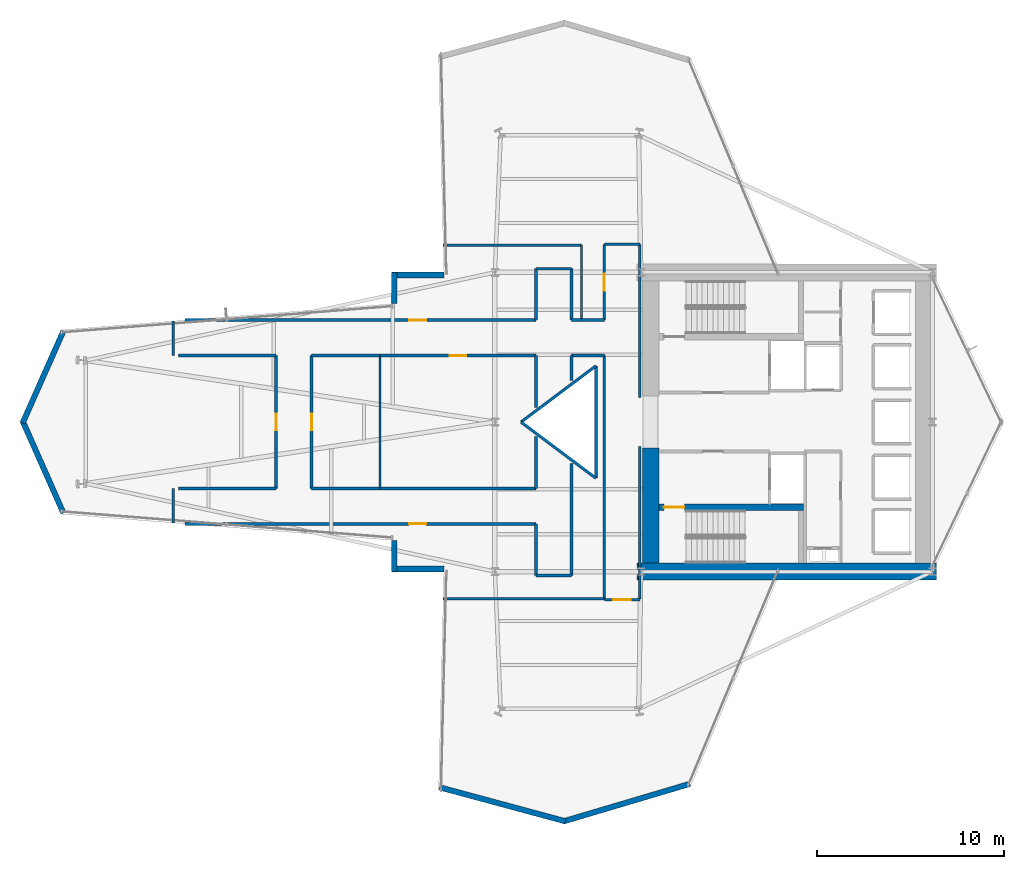
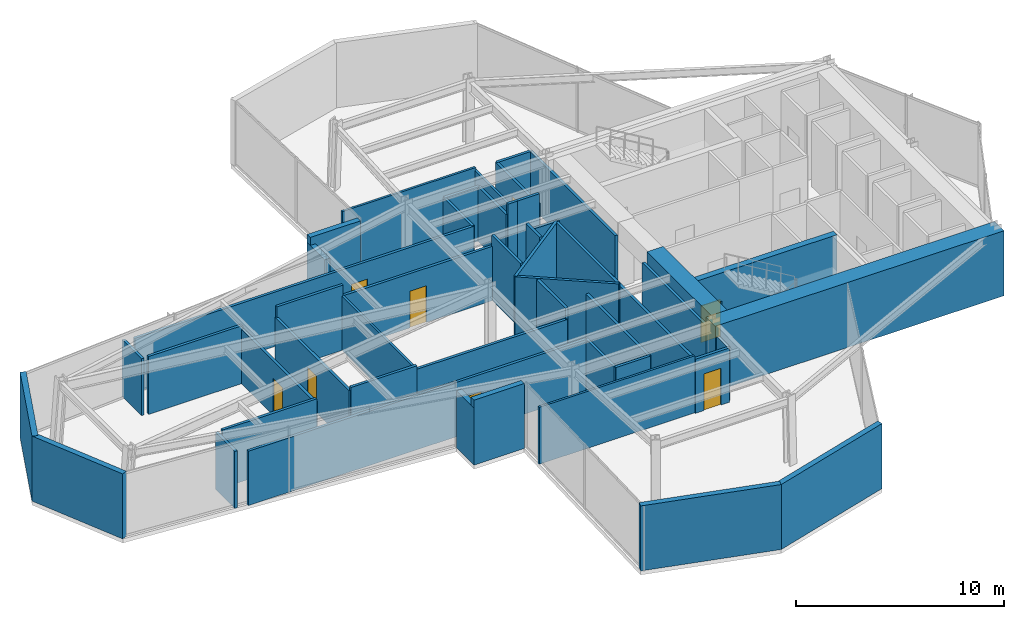
# One storey, part 22 of 25: 48 walls, 8 doors, 8 openings.
"""IFC4 building model written with IfcOpenShell, lengths in metres."""

from ifc_helpers import new_model, si_unit, direction, frame, frame_2d, origin, place, context, subcontext, project, spatial, rectangle, extrude, material, layer, layer_set, type_object, element, fill, save


model = new_model("IFC4")

# Units and contexts
model_context = context("Model", 3, precision=1e-05, world=origin(), true_north=direction((0.0, 1.0)))
body_context = subcontext(model_context, "Body", "Model", "MODEL_VIEW")
ifc_project = project(units=[si_unit("LENGTHUNIT", "METRE"), si_unit("AREAUNIT", "SQUARE_METRE"), si_unit("VOLUMEUNIT", "CUBIC_METRE"), si_unit("PLANEANGLEUNIT", "RADIAN"), si_unit("MASSUNIT", "GRAM", prefix="KILO")], contexts=[model_context])

# Site, building, storey
site_placement = place(None, origin())
site = spatial("IfcSite", under=ifc_project, at=site_placement, CompositionType="ELEMENT")
building_placement = place(site_placement, origin())
building = spatial("IfcBuilding", under=site, at=building_placement, Name="Veymaron Broadcast Tower", CompositionType="ELEMENT")
storey_placement = place(building_placement, frame((0.0, 0.0, 82.35009765625)))
storey = spatial("IfcBuildingStorey", under=building, at=storey_placement, Name="L18", CompositionType="ELEMENT", Elevation=82.35009765625)

# Walls
ifc_material_1 = material(Name="Precast concrete C40/50 with mineral-wool insulation", Category="concrete")
ifc_layer_1 = layer(ifc_material_1, 0.300048828125)
ifc_layer_set_1 = layer_set([ifc_layer_1], Name="Precast concrete C40/50 with mineral-wool insulation")
wall_type_1 = type_object("IfcWallType", Name="WALL-EXT-300", PredefinedType="STANDARD", material=ifc_layer_set_1)
wall_1_placement = place(storey_placement, frame((28.468505859375, 31.860107421875, 0.0), z_axis=(0.0, 0.0, 1.0), x_axis=(-1.0, 0.0, 0.0)))
element("IfcWall", 1, at=wall_1_placement, inside=storey, type_object=wall_type_1, Name="L18 notched corner facade pier 9-1", PredefinedType="STANDARD", context=body_context, shape_type="SweptSolid", body=[
    extrude(rectangle(XDim=2.780517578125, YDim=0.300048828125, at=frame_2d((1.39013671875, 0.0))), origin(), (0.0, 0.0, 1.0), 3.809814453125),
])
wall_2_placement = place(storey_placement, frame((25.827880859375, 32.0, 0.0), z_axis=(0.0, 0.0, 1.0), x_axis=(0.0, -1.0, 0.0)))
element("IfcWall", 2, at=wall_2_placement, inside=storey, type_object=wall_type_1, Name="L18 notched corner facade pier 10-1", PredefinedType="STANDARD", context=body_context, shape_type="SweptSolid", body=[
    extrude(rectangle(XDim=1.67529296875, YDim=0.300048828125, at=frame_2d((0.837646484375, 0.0))), origin(), (0.0, 0.0, 1.0), 3.337890625),
])
for number, where, z_axis, x_axis, name in (
    (3, (8.1279296875, 28.8701171875, 0.0), (0.0, 0.0, 1.0), (-0.405234544412, -0.914212756428, 0.0), "L18 notched corner facade pier 12-1"),
    (4, (5.944091796875, 24.056640625, 0.0), (0.0, 0.0, 1.0), (0.405234544412, -0.914212756428, 0.0), "L18 notched corner facade pier 13-1"),
):
    element("IfcWall", number, at=place(storey_placement, frame(where, z_axis=z_axis, x_axis=x_axis)), inside=storey, type_object=wall_type_1, Name=name, PredefinedType="STANDARD", context=body_context, shape_type="SweptSolid", body=[
        extrude(rectangle(XDim=5.38916015625, YDim=0.300048828125, at=frame_2d((2.694580078125, 0.0))), origin(), (0.0, 0.0, 1.0), 3.809814453125),
    ])
wall_3_placement = place(storey_placement, frame((25.827880859375, 17.67529296875, 0.0), z_axis=(0.0, 0.0, 1.0), x_axis=(0.0, -1.0, 0.0)))
element("IfcWall", 5, at=wall_3_placement, inside=storey, type_object=wall_type_1, Name="L18 notched corner facade pier 15-1", PredefinedType="STANDARD", context=body_context, shape_type="SweptSolid", body=[
    extrude(rectangle(XDim=1.67529296875, YDim=0.300048828125, at=frame_2d((0.837646484375, 0.0))), origin(), (0.0, 0.0, 1.0), 3.337890625),
])
wall_4_placement = place(storey_placement, frame((25.68798828125, 16.139892578125, 0.0), z_axis=(0.0, 0.0, 1.0), x_axis=(1.0, 0.0, 0.0)))
element("IfcWall", 6, at=wall_4_placement, inside=storey, type_object=wall_type_1, Name="L18 notched corner facade pier 16-1", PredefinedType="STANDARD", context=body_context, shape_type="SweptSolid", body=[
    extrude(rectangle(XDim=2.780517578125, YDim=0.300048828125, at=frame_2d((1.39013671875, 0.0))), origin(), (0.0, 0.0, 1.0), 3.809814453125),
])
wall_5_placement = place(storey_placement, frame((28.220458984375, 4.46923828125, 0.0), z_axis=(0.0, 0.0, 1.0), x_axis=(0.965438319853, -0.260631637679, 0.0)))
element("IfcWall", 7, at=wall_5_placement, inside=storey, type_object=wall_type_1, Name="L18 notched corner facade pier 18-1", PredefinedType="STANDARD", context=body_context, shape_type="SweptSolid", body=[
    extrude(rectangle(XDim=6.9833984375, YDim=0.300048828125, at=frame_2d((3.49169921875, 0.0))), origin(), (0.0, 0.0, 1.0), 3.809814453125),
])
wall_6_placement = place(storey_placement, frame((34.885986328125, 2.648193359375, 0.0), z_axis=(0.0, 0.0, 1.0), x_axis=(0.958632659024, 0.284646140064, 0.0)))
element("IfcWall", 8, at=wall_6_placement, inside=storey, type_object=wall_type_1, Name="L18 notched corner facade pier 19-1", PredefinedType="STANDARD", context=body_context, shape_type="SweptSolid", body=[
    extrude(rectangle(XDim=7.033203125, YDim=0.300048828125, at=frame_2d((3.5166015625, 0.0))), origin(), (0.0, 0.0, 1.0), 3.809814453125),
])

# Wall, opening, door
ifc_material_2 = material(Name="Gypsum fireboard and steel stud framing", Category="steel")
ifc_layer_2 = layer(ifc_material_2, 0.14990234375)
ifc_layer_set_2 = layer_set([ifc_layer_2], Name="Gypsum fireboard and steel stud framing")
wall_type_2 = type_object("IfcWallType", Name="WALL-FIRE-150", PredefinedType="PARTITIONING", material=ifc_layer_set_2)
wall_7_placement = place(storey_placement, frame((37.050048828125, 14.5, 0.0), z_axis=(0.0, 0.0, 1.0), x_axis=(1.0, 0.0, 0.0)))
wall_7 = element("IfcWall", 9, at=wall_7_placement, inside=storey, type_object=wall_type_2, Name="L18 partition IW-L18-P02", PredefinedType="PARTITIONING", context=body_context, shape_type="SweptSolid", body=[
    extrude(rectangle(XDim=1.89990234375, YDim=0.14990234375, at=frame_2d((0.949951171875, 0.0))), origin(), (0.0, 0.0, 1.0), 3.180908203125),
])
opening_1_placement = place(wall_7_placement, frame((0.47509765625, 0.0, 0.0)))
opening_1 = element("IfcOpeningElement", 10, at=opening_1_placement, cuts=wall_7, Name="Opening ID-RM1", PredefinedType="OPENING", context=body_context, shape_type="SweptSolid", body=[
    extrude(rectangle(XDim=0.949951171875, YDim=2.14990234375, at=frame_2d((0.47509765625, 1.074951171875))), frame((0.0, 0.0849609375, 0.0), z_axis=(0.0, -1.0, 0.0), x_axis=(1.0, 0.0, 0.0)), (0.0, 0.0, 1.0), 0.169921875),
])
ifc_material_3 = material(Name="Acoustic solid-core European oak veneer timber", Category="wood")
door_type_1 = type_object("IfcDoorType", Name="DOOR-INT-950", OperationType="NOTDEFINED", PredefinedType="DOOR", material=ifc_material_3)
door_1_placement = place(opening_1_placement, frame((0.949951171875, 0.0, 0.0), z_axis=(0.0, 0.0, 1.0), x_axis=(-1.0, 0.0, 0.0)))
door_1 = element("IfcDoor", 11, at=door_1_placement, inside=storey, type_object=door_type_1, Name="L18 door DR-L18-P02", OperationType="SINGLE_SWING_LEFT", OverallHeight=2.14990234375, OverallWidth=0.949951171875, PredefinedType="DOOR", context=body_context, shape_type="SweptSolid", body=[
    extrude(rectangle(XDim=0.949951171875, YDim=2.14990234375, at=frame_2d((0.47509765625, 1.074951171875))), frame((0.0, 0.02490234375, 0.0), z_axis=(0.0, -1.0, 0.0), x_axis=(1.0, 0.0, 0.0)), (0.0, 0.0, 1.0), 0.050048828125),
])
fill(opening_1, door_1)

wall_8_placement = place(storey_placement, frame((14.619873046875, 18.550048828125, 0.0), z_axis=(0.0, 0.0, 1.0), x_axis=(1.0, 0.0, 0.0)))
wall_8 = element("IfcWall", 12, at=wall_8_placement, inside=storey, type_object=wall_type_2, Name="L18 partition IW-L18-P03", PredefinedType="PARTITIONING", context=body_context, shape_type="SweptSolid", body=[
    extrude(rectangle(XDim=18.780029296875, YDim=0.14990234375, at=frame_2d((9.39013671875, 0.0))), origin(), (0.0, 0.0, 1.0), 3.180908203125),
])
opening_2_placement = place(wall_8_placement, frame((12.0, 0.0, 0.0)))
opening_2 = element("IfcOpeningElement", 13, at=opening_2_placement, cuts=wall_8, Name="Opening ID-RM2", PredefinedType="OPENING", context=body_context, shape_type="SweptSolid", body=[
    extrude(rectangle(XDim=0.89990234375, YDim=2.14990234375, at=frame_2d((0.449951171875, 1.074951171875))), frame((0.0, 0.0849609375, 0.0), z_axis=(0.0, -1.0, 0.0), x_axis=(1.0, 0.0, 0.0)), (0.0, 0.0, 1.0), 0.169921875),
])
door_type_2 = type_object("IfcDoorType", Name="DOOR-INT-900", OperationType="NOTDEFINED", PredefinedType="DOOR", material=ifc_material_3)
door_2_placement = place(opening_2_placement, frame((0.89990234375, 0.0, 0.0), z_axis=(0.0, 0.0, 1.0), x_axis=(-1.0, 0.0, 0.0)))
door_2 = element("IfcDoor", 14, at=door_2_placement, inside=storey, type_object=door_type_2, Name="L18 door DR-L18-P03", OperationType="SINGLE_SWING_RIGHT", OverallHeight=2.14990234375, OverallWidth=0.89990234375, PredefinedType="DOOR", context=body_context, shape_type="SweptSolid", body=[
    extrude(rectangle(XDim=0.89990234375, YDim=2.14990234375, at=frame_2d((0.449951171875, 1.074951171875))), frame((0.0, 0.02490234375, 0.0), z_axis=(0.0, -1.0, 0.0), x_axis=(1.0, 0.0, 0.0)), (0.0, 0.0, 1.0), 0.050048828125),
])
fill(opening_2, door_2)

wall_9_placement = place(storey_placement, frame((19.5, 20.449951171875, 0.0), z_axis=(0.0, 0.0, 1.0), x_axis=(0.0, 1.0, 0.0)))
wall_9 = element("IfcWall", 15, at=wall_9_placement, inside=storey, type_object=wall_type_2, Name="L18 partition IW-L18-P10", PredefinedType="PARTITIONING", context=body_context, shape_type="SweptSolid", body=[
    extrude(rectangle(XDim=7.10009765625, YDim=0.14990234375, at=frame_2d((3.550048828125, 0.0))), origin(), (0.0, 0.0, 1.0), 3.180908203125),
])
opening_3_placement = place(wall_9_placement, frame((3.10009765625, 0.0, 0.0)))
opening_3 = element("IfcOpeningElement", 16, at=opening_3_placement, cuts=wall_9, Name="Opening ID-RM2", PredefinedType="OPENING", context=body_context, shape_type="SweptSolid", body=[
    extrude(rectangle(XDim=0.89990234375, YDim=2.14990234375, at=frame_2d((0.449951171875, 1.074951171875))), frame((0.0, 0.0849609375, 0.0), z_axis=(0.0, -1.0, 0.0), x_axis=(1.0, 0.0, 0.0)), (0.0, 0.0, 1.0), 0.169921875),
])
door_3_placement = place(opening_3_placement, origin())
door_3 = element("IfcDoor", 17, at=door_3_placement, inside=storey, type_object=door_type_2, Name="L18 door DR-L18-P10", OperationType="SINGLE_SWING_LEFT", OverallHeight=2.14990234375, OverallWidth=0.89990234375, PredefinedType="DOOR", context=body_context, shape_type="SweptSolid", body=[
    extrude(rectangle(XDim=0.89990234375, YDim=2.14990234375, at=frame_2d((0.449951171875, 1.074951171875))), frame((0.0, 0.02490234375, 0.0), z_axis=(0.0, -1.0, 0.0), x_axis=(1.0, 0.0, 0.0)), (0.0, 0.0, 1.0), 0.050048828125),
])
fill(opening_3, door_3)

wall_10_placement = place(storey_placement, frame((21.39990234375, 20.449951171875, 0.0), z_axis=(0.0, 0.0, 1.0), x_axis=(0.0, 1.0, 0.0)))
wall_10 = element("IfcWall", 18, at=wall_10_placement, inside=storey, type_object=wall_type_2, Name="L18 partition IW-L18-P15", PredefinedType="PARTITIONING", context=body_context, shape_type="SweptSolid", body=[
    extrude(rectangle(XDim=7.10009765625, YDim=0.14990234375, at=frame_2d((3.550048828125, 0.0))), origin(), (0.0, 0.0, 1.0), 3.180908203125),
])
opening_4_placement = place(wall_10_placement, frame((3.10009765625, 0.0, 0.0)))
opening_4 = element("IfcOpeningElement", 19, at=opening_4_placement, cuts=wall_10, Name="Opening ID-RM2", PredefinedType="OPENING", context=body_context, shape_type="SweptSolid", body=[
    extrude(rectangle(XDim=0.89990234375, YDim=2.14990234375, at=frame_2d((0.449951171875, 1.074951171875))), frame((0.0, 0.0849609375, 0.0), z_axis=(0.0, -1.0, 0.0), x_axis=(1.0, 0.0, 0.0)), (0.0, 0.0, 1.0), 0.169921875),
])
door_4_placement = place(opening_4_placement, frame((0.89990234375, 0.0, 0.0), z_axis=(0.0, 0.0, 1.0), x_axis=(-1.0, 0.0, 0.0)))
door_4 = element("IfcDoor", 20, at=door_4_placement, inside=storey, type_object=door_type_2, Name="L18 door DR-L18-P15", OperationType="SINGLE_SWING_RIGHT", OverallHeight=2.14990234375, OverallWidth=0.89990234375, PredefinedType="DOOR", context=body_context, shape_type="SweptSolid", body=[
    extrude(rectangle(XDim=0.89990234375, YDim=2.14990234375, at=frame_2d((0.449951171875, 1.074951171875))), frame((0.0, 0.02490234375, 0.0), z_axis=(0.0, -1.0, 0.0), x_axis=(1.0, 0.0, 0.0)), (0.0, 0.0, 1.0), 0.050048828125),
])
fill(opening_4, door_4)

wall_11_placement = place(storey_placement, frame((25.056884765625, 27.550048828125, 0.0), z_axis=(0.0, 0.0, 1.0), x_axis=(1.0, 0.0, 0.0)))
wall_11 = element("IfcWall", 21, at=wall_11_placement, inside=storey, type_object=wall_type_2, Name="L18 partition IW-L18-P18", PredefinedType="PARTITIONING", context=body_context, shape_type="SweptSolid", body=[
    extrude(rectangle(XDim=8.343017578125, YDim=0.14990234375, at=frame_2d((4.17138671875, 0.0))), origin(), (0.0, 0.0, 1.0), 3.180908203125),
])
opening_5_placement = place(wall_11_placement, frame((3.721435546875, 0.0, 0.0)))
opening_5 = element("IfcOpeningElement", 22, at=opening_5_placement, cuts=wall_11, Name="Opening ID-RM2", PredefinedType="OPENING", context=body_context, shape_type="SweptSolid", body=[
    extrude(rectangle(XDim=0.89990234375, YDim=2.14990234375, at=frame_2d((0.449951171875, 1.074951171875))), frame((0.0, 0.0849609375, 0.0), z_axis=(0.0, -1.0, 0.0), x_axis=(1.0, 0.0, 0.0)), (0.0, 0.0, 1.0), 0.169921875),
])
door_5_placement = place(opening_5_placement, frame((0.89990234375, 0.0, 0.0), z_axis=(0.0, 0.0, 1.0), x_axis=(-1.0, 0.0, 0.0)))
door_5 = element("IfcDoor", 23, at=door_5_placement, inside=storey, type_object=door_type_2, Name="L18 door DR-L18-P18", OperationType="SINGLE_SWING_LEFT", OverallHeight=2.14990234375, OverallWidth=0.89990234375, PredefinedType="DOOR", context=body_context, shape_type="SweptSolid", body=[
    extrude(rectangle(XDim=0.89990234375, YDim=2.14990234375, at=frame_2d((0.449951171875, 1.074951171875))), frame((0.0, 0.02490234375, 0.0), z_axis=(0.0, -1.0, 0.0), x_axis=(1.0, 0.0, 0.0)), (0.0, 0.0, 1.0), 0.050048828125),
])
fill(opening_5, door_5)

wall_12_placement = place(storey_placement, frame((14.619873046875, 29.449951171875, 0.0), z_axis=(0.0, 0.0, 1.0), x_axis=(1.0, 0.0, 0.0)))
wall_12 = element("IfcWall", 24, at=wall_12_placement, inside=storey, type_object=wall_type_2, Name="L18 partition IW-L18-P22", PredefinedType="PARTITIONING", context=body_context, shape_type="SweptSolid", body=[
    extrude(rectangle(XDim=18.780029296875, YDim=0.14990234375, at=frame_2d((9.39013671875, 0.0))), origin(), (0.0, 0.0, 1.0), 3.180908203125),
])
opening_6_placement = place(wall_12_placement, frame((12.0, 0.0, 0.0)))
opening_6 = element("IfcOpeningElement", 25, at=opening_6_placement, cuts=wall_12, Name="Opening ID-RM2", PredefinedType="OPENING", context=body_context, shape_type="SweptSolid", body=[
    extrude(rectangle(XDim=0.89990234375, YDim=2.14990234375, at=frame_2d((0.449951171875, 1.074951171875))), frame((0.0, 0.0849609375, 0.0), z_axis=(0.0, -1.0, 0.0), x_axis=(1.0, 0.0, 0.0)), (0.0, 0.0, 1.0), 0.169921875),
])
door_6_placement = place(opening_6_placement, origin())
door_6 = element("IfcDoor", 26, at=door_6_placement, inside=storey, type_object=door_type_2, Name="L18 door DR-L18-P22", OperationType="SINGLE_SWING_LEFT", OverallHeight=2.14990234375, OverallWidth=0.89990234375, PredefinedType="DOOR", context=body_context, shape_type="SweptSolid", body=[
    extrude(rectangle(XDim=0.89990234375, YDim=2.14990234375, at=frame_2d((0.449951171875, 1.074951171875))), frame((0.0, 0.02490234375, 0.0), z_axis=(0.0, -1.0, 0.0), x_axis=(1.0, 0.0, 0.0)), (0.0, 0.0, 1.0), 0.050048828125),
])
fill(opening_6, door_6)

wall_13_placement = place(storey_placement, frame((37.050048828125, 29.449951171875, 0.0), z_axis=(0.0, 0.0, 1.0), x_axis=(0.0, 1.0, 0.0)))
wall_13 = element("IfcWall", 27, at=wall_13_placement, inside=storey, type_object=wall_type_2, Name="L18 partition IW-L18-P28", PredefinedType="PARTITIONING", context=body_context, shape_type="SweptSolid", body=[
    extrude(rectangle(XDim=4.050048828125, YDim=0.14990234375, at=frame_2d((2.02490234375, 0.0))), origin(), (0.0, 0.0, 1.0), 3.180908203125),
])
opening_7_placement = place(wall_13_placement, frame((1.574951171875, 0.0, 0.0)))
opening_7 = element("IfcOpeningElement", 28, at=opening_7_placement, cuts=wall_13, Name="Opening ID-RM2", PredefinedType="OPENING", context=body_context, shape_type="SweptSolid", body=[
    extrude(rectangle(XDim=0.89990234375, YDim=2.14990234375, at=frame_2d((0.449951171875, 1.074951171875))), frame((0.0, 0.0849609375, 0.0), z_axis=(0.0, -1.0, 0.0), x_axis=(1.0, 0.0, 0.0)), (0.0, 0.0, 1.0), 0.169921875),
])
door_7_placement = place(opening_7_placement, origin())
door_7 = element("IfcDoor", 29, at=door_7_placement, inside=storey, type_object=door_type_2, Name="L18 door DR-L18-P28", OperationType="SINGLE_SWING_LEFT", OverallHeight=2.14990234375, OverallWidth=0.89990234375, PredefinedType="DOOR", context=body_context, shape_type="SweptSolid", body=[
    extrude(rectangle(XDim=0.89990234375, YDim=2.14990234375, at=frame_2d((0.449951171875, 1.074951171875))), frame((0.0, 0.02490234375, 0.0), z_axis=(0.0, -1.0, 0.0), x_axis=(1.0, 0.0, 0.0)), (0.0, 0.0, 1.0), 0.050048828125),
])
fill(opening_7, door_7)

# Walls
wall_14_placement = place(storey_placement, frame((38.949951171875, 14.5458984375, 0.0), z_axis=(0.0, 0.0, 1.0), x_axis=(0.0, 1.0, 0.0)))
element("IfcWall", 30, at=wall_14_placement, inside=storey, type_object=wall_type_2, Name="L18 partition IW-L18-P01", PredefinedType="PARTITIONING", context=body_context, shape_type="SweptSolid", body=[
    extrude(rectangle(XDim=8.154052734375, YDim=0.14990234375, at=frame_2d((4.0771484375, 0.0))), origin(), (0.0, 0.0, 1.0), 3.180908203125),
])
wall_15_placement = place(storey_placement, frame((37.050048828125, 14.5458984375, 0.0), z_axis=(0.0, 0.0, 1.0), x_axis=(0.0, 1.0, 0.0)))
element("IfcWall", 31, at=wall_15_placement, inside=storey, type_object=wall_type_2, Name="L18 partition IW-L18-P04", PredefinedType="PARTITIONING", context=body_context, shape_type="SweptSolid", body=[
    extrude(rectangle(XDim=13.004150390625, YDim=0.14990234375, at=frame_2d((6.501953125, 0.0))), origin(), (0.0, 0.0, 1.0), 3.180908203125),
])
wall_16_placement = place(storey_placement, frame((35.300048828125, 15.800048828125, 0.0), z_axis=(0.0, 0.0, 1.0), x_axis=(0.0, 1.0, 0.0)))
element("IfcWall", 32, at=wall_16_placement, inside=storey, type_object=wall_type_2, Name="L18 partition IW-L18-P05", PredefinedType="PARTITIONING", context=body_context, shape_type="SweptSolid", body=[
    extrude(rectangle(XDim=5.987548828125, YDim=0.14990234375, at=frame_2d((2.99365234375, 0.0))), origin(), (0.0, 0.0, 1.0), 3.180908203125),
])
wall_17_placement = place(storey_placement, frame((33.39990234375, 15.800048828125, 0.0), z_axis=(0.0, 0.0, 1.0), x_axis=(0.0, 1.0, 0.0)))
element("IfcWall", 33, at=wall_17_placement, inside=storey, type_object=wall_type_2, Name="L18 partition IW-L18-P06", PredefinedType="PARTITIONING", context=body_context, shape_type="SweptSolid", body=[
    extrude(rectangle(XDim=2.75, YDim=0.14990234375, at=frame_2d((1.375, 0.0))), origin(), (0.0, 0.0, 1.0), 3.180908203125),
])
wall_18_placement = place(storey_placement, frame((33.39990234375, 15.800048828125, 0.0), z_axis=(0.0, 0.0, 1.0), x_axis=(1.0, 0.0, 0.0)))
element("IfcWall", 34, at=wall_18_placement, inside=storey, type_object=wall_type_2, Name="L18 partition IW-L18-P07", PredefinedType="PARTITIONING", context=body_context, shape_type="SweptSolid", body=[
    extrude(rectangle(XDim=1.900146484375, YDim=0.14990234375, at=frame_2d((0.9501953125, 0.0))), origin(), (0.0, 0.0, 1.0), 3.180908203125),
])
wall_19_placement = place(storey_placement, frame((35.300048828125, 27.550048828125, 0.0), z_axis=(0.0, 0.0, 1.0), x_axis=(1.0, 0.0, 0.0)))
element("IfcWall", 35, at=wall_19_placement, inside=storey, type_object=wall_type_2, Name="L18 partition IW-L18-P08", PredefinedType="PARTITIONING", context=body_context, shape_type="SweptSolid", body=[
    extrude(rectangle(XDim=1.75, YDim=0.14990234375, at=frame_2d((0.875, 0.0))), origin(), (0.0, 0.0, 1.0), 3.390869140625),
])
wall_20_placement = place(storey_placement, frame((35.300048828125, 26.21240234375, 0.0), z_axis=(0.0, 0.0, 1.0), x_axis=(0.0, 1.0, 0.0)))
element("IfcWall", 36, at=wall_20_placement, inside=storey, type_object=wall_type_2, Name="L18 partition IW-L18-P09", PredefinedType="PARTITIONING", context=body_context, shape_type="SweptSolid", body=[
    extrude(rectangle(XDim=1.337646484375, YDim=0.14990234375, at=frame_2d((0.6689453125, 0.0))), origin(), (0.0, 0.0, 1.0), 3.809814453125),
])
for number, where, z_axis, x_axis, name in (
    (37, (14.281982421875, 20.449951171875, 0.0), (0.0, 0.0, 1.0), (1.0, 0.0, 0.0), "L18 partition IW-L18-P11"),
    (38, (14.281982421875, 27.550048828125, 0.0), (0.0, 0.0, 1.0), (1.0, 0.0, 0.0), "L18 partition IW-L18-P12"),
):
    element("IfcWall", number, at=place(storey_placement, frame(where, z_axis=z_axis, x_axis=x_axis)), inside=storey, type_object=wall_type_2, Name=name, PredefinedType="PARTITIONING", context=body_context, shape_type="SweptSolid", body=[
        extrude(rectangle(XDim=5.218017578125, YDim=0.14990234375, at=frame_2d((2.60888671875, 0.0))), origin(), (0.0, 0.0, 1.0), 3.390869140625),
    ])
for number, where, z_axis, x_axis, name in (
    (39, (14.0, 18.59912109375, 0.0), (0.0, 0.0, 1.0), (0.0, 1.0, 0.0), "L18 partition IW-L18-P13"),
    (40, (14.0, 27.550048828125, 0.0), (0.0, 0.0, 1.0), (0.0, 1.0, 0.0), "L18 partition IW-L18-P14"),
):
    element("IfcWall", number, at=place(storey_placement, frame(where, z_axis=z_axis, x_axis=x_axis)), inside=storey, type_object=wall_type_2, Name=name, PredefinedType="PARTITIONING", context=body_context, shape_type="SweptSolid", body=[
        extrude(rectangle(XDim=1.850830078125, YDim=0.14990234375, at=frame_2d((0.92529296875, 0.0))), origin(), (0.0, 0.0, 1.0), 3.337890625),
    ])
wall_21_placement = place(storey_placement, frame((21.39990234375, 27.550048828125, 0.0), z_axis=(0.0, 0.0, 1.0), x_axis=(1.0, 0.0, 0.0)))
element("IfcWall", 41, at=wall_21_placement, inside=storey, type_object=wall_type_2, Name="L18 partition IW-L18-P16", PredefinedType="PARTITIONING", context=body_context, shape_type="SweptSolid", body=[
    extrude(rectangle(XDim=3.656982421875, YDim=0.14990234375, at=frame_2d((1.82861328125, 0.0))), origin(), (0.0, 0.0, 1.0), 3.809814453125),
])
wall_22_placement = place(storey_placement, frame((21.39990234375, 20.449951171875, 0.0), z_axis=(0.0, 0.0, 1.0), x_axis=(1.0, 0.0, 0.0)))
element("IfcWall", 42, at=wall_22_placement, inside=storey, type_object=wall_type_2, Name="L18 partition IW-L18-P17", PredefinedType="PARTITIONING", context=body_context, shape_type="SweptSolid", body=[
    extrude(rectangle(XDim=3.656982421875, YDim=0.14990234375, at=frame_2d((1.82861328125, 0.0))), origin(), (0.0, 0.0, 1.0), 3.390869140625),
])
wall_23_placement = place(storey_placement, frame((25.056884765625, 20.449951171875, 0.0), z_axis=(0.0, 0.0, 1.0), x_axis=(1.0, 0.0, 0.0)))
element("IfcWall", 43, at=wall_23_placement, inside=storey, type_object=wall_type_2, Name="L18 partition IW-L18-P19", PredefinedType="PARTITIONING", context=body_context, shape_type="SweptSolid", body=[
    extrude(rectangle(XDim=8.343017578125, YDim=0.14990234375, at=frame_2d((4.17138671875, 0.0))), origin(), (0.0, 0.0, 1.0), 3.180908203125),
])
for number, where, z_axis, x_axis, name in (
    (44, (33.39990234375, 24.78759765625, 0.0), (0.0, 0.0, 1.0), (0.0, 1.0, 0.0), "L18 partition IW-L18-P20"),
    (45, (33.39990234375, 20.449951171875, 0.0), (0.0, 0.0, 1.0), (0.0, 1.0, 0.0), "L18 partition IW-L18-P21"),
):
    element("IfcWall", number, at=place(storey_placement, frame(where, z_axis=z_axis, x_axis=x_axis)), inside=storey, type_object=wall_type_2, Name=name, PredefinedType="PARTITIONING", context=body_context, shape_type="SweptSolid", body=[
        extrude(rectangle(XDim=2.762451171875, YDim=0.14990234375, at=frame_2d((1.38134765625, 0.0))), origin(), (0.0, 0.0, 1.0), 3.809814453125),
    ])
for number, where, z_axis, x_axis, name in (
    (46, (33.39990234375, 29.449951171875, 0.0), (0.0, 0.0, 1.0), (0.0, 1.0, 0.0), "L18 partition IW-L18-P23"),
    (47, (35.300048828125, 29.449951171875, 0.0), (0.0, 0.0, 1.0), (0.0, 1.0, 0.0), "L18 partition IW-L18-P24"),
):
    element("IfcWall", number, at=place(storey_placement, frame(where, z_axis=z_axis, x_axis=x_axis)), inside=storey, type_object=wall_type_2, Name=name, PredefinedType="PARTITIONING", context=body_context, shape_type="SweptSolid", body=[
        extrude(rectangle(XDim=2.75, YDim=0.14990234375, at=frame_2d((1.375, 0.0))), origin(), (0.0, 0.0, 1.0), 3.180908203125),
    ])
wall_24_placement = place(storey_placement, frame((33.39990234375, 32.199951171875, 0.0), z_axis=(0.0, 0.0, 1.0), x_axis=(1.0, 0.0, 0.0)))
element("IfcWall", 48, at=wall_24_placement, inside=storey, type_object=wall_type_2, Name="L18 partition IW-L18-P25", PredefinedType="PARTITIONING", context=body_context, shape_type="SweptSolid", body=[
    extrude(rectangle(XDim=1.900146484375, YDim=0.14990234375, at=frame_2d((0.9501953125, 0.0))), origin(), (0.0, 0.0, 1.0), 3.180908203125),
])
wall_25_placement = place(storey_placement, frame((35.300048828125, 29.449951171875, 0.0), z_axis=(0.0, 0.0, 1.0), x_axis=(1.0, 0.0, 0.0)))
element("IfcWall", 49, at=wall_25_placement, inside=storey, type_object=wall_type_2, Name="L18 partition IW-L18-P26", PredefinedType="PARTITIONING", context=body_context, shape_type="SweptSolid", body=[
    extrude(rectangle(XDim=0.531982421875, YDim=0.14990234375, at=frame_2d((0.26611328125, 0.0))), origin(), (0.0, 0.0, 1.0), 3.809814453125),
])
wall_26_placement = place(storey_placement, frame((38.949951171875, 25.300048828125, 0.0), z_axis=(0.0, 0.0, 1.0), x_axis=(0.0, 1.0, 0.0)))
element("IfcWall", 50, at=wall_26_placement, inside=storey, type_object=wall_type_2, Name="L18 partition IW-L18-P27", PredefinedType="PARTITIONING", context=body_context, shape_type="SweptSolid", body=[
    extrude(rectangle(XDim=8.199951171875, YDim=0.14990234375, at=frame_2d((4.10009765625, 0.0))), origin(), (0.0, 0.0, 1.0), 3.180908203125),
])
wall_27_placement = place(storey_placement, frame((37.050048828125, 33.5, 0.0), z_axis=(0.0, 0.0, 1.0), x_axis=(1.0, 0.0, 0.0)))
element("IfcWall", 51, at=wall_27_placement, inside=storey, type_object=wall_type_2, Name="L18 partition IW-L18-P29", PredefinedType="PARTITIONING", context=body_context, shape_type="SweptSolid", body=[
    extrude(rectangle(XDim=1.89990234375, YDim=0.14990234375, at=frame_2d((0.949951171875, 0.0))), origin(), (0.0, 0.0, 1.0), 3.180908203125),
])
wall_28_placement = place(storey_placement, frame((35.83203125, 29.449951171875, 0.0), z_axis=(0.0, 0.0, 1.0), x_axis=(1.0, 0.0, 0.0)))
element("IfcWall", 52, at=wall_28_placement, inside=storey, type_object=wall_type_2, Name="L18 partition IW-L18-P30", PredefinedType="PARTITIONING", context=body_context, shape_type="SweptSolid", body=[
    extrude(rectangle(XDim=1.218017578125, YDim=0.14990234375, at=frame_2d((0.60888671875, 0.0))), origin(), (0.0, 0.0, 1.0), 3.809814453125),
])
ifc_material_4 = material(Name="Fire-rated laminated glass in aluminium frame", Category="aluminium")
ifc_layer_3 = layer(ifc_material_4, 0.14990234375)
ifc_layer_set_3 = layer_set([ifc_layer_3], Name="Fire-rated laminated glass in aluminium frame")
wall_type_3 = type_object("IfcWallType", Name="WALL-GLZ-150", PredefinedType="MOVABLE", material=ifc_layer_set_3)
wall_29_placement = place(storey_placement, frame((32.60009765625, 24.0, 0.0), z_axis=(0.0, 0.0, 1.0), x_axis=(0.8, -0.6, 0.0)))
element("IfcWall", 53, at=wall_29_placement, inside=storey, type_object=wall_type_3, Name="L18 partition IW-L18-ATR1", PredefinedType="MOVABLE", context=body_context, shape_type="SweptSolid", body=[
    extrude(rectangle(XDim=5.0, YDim=0.14990234375, at=frame_2d((2.5, 0.0))), origin(), (0.0, 0.0, 1.0), 3.809814453125),
])
wall_30_placement = place(storey_placement, frame((36.60009765625, 21.0, 0.0), z_axis=(0.0, 0.0, 1.0), x_axis=(0.0, 1.0, 0.0)))
element("IfcWall", 54, at=wall_30_placement, inside=storey, type_object=wall_type_3, Name="L18 partition IW-L18-ATR2", PredefinedType="MOVABLE", context=body_context, shape_type="SweptSolid", body=[
    extrude(rectangle(XDim=6.0, YDim=0.14990234375, at=frame_2d((3.0, 0.0))), origin(), (0.0, 0.0, 1.0), 3.809814453125),
])
wall_31_placement = place(storey_placement, frame((36.60009765625, 27.0, 0.0), z_axis=(0.0, 0.0, 1.0), x_axis=(-0.8, -0.6, 0.0)))
element("IfcWall", 55, at=wall_31_placement, inside=storey, type_object=wall_type_3, Name="L18 partition IW-L18-ATR3", PredefinedType="MOVABLE", context=body_context, shape_type="SweptSolid", body=[
    extrude(rectangle(XDim=5.0, YDim=0.14990234375, at=frame_2d((2.5, 0.0))), origin(), (0.0, 0.0, 1.0), 3.809814453125),
])
ifc_material_5 = material(Name="Acoustic gypsum board and galvanized stud", Category="gypsum")
ifc_layer_4 = layer(ifc_material_5, 0.1201171875)
ifc_layer_set_4 = layer_set([ifc_layer_4], Name="Acoustic gypsum board and galvanized stud")
wall_type_4 = type_object("IfcWallType", Name="WALL-PART-120", PredefinedType="PARTITIONING", material=ifc_layer_set_4)
wall_32_placement = place(storey_placement, frame((28.43310546875, 14.5458984375, 0.0), z_axis=(0.0, 0.0, 1.0), x_axis=(1.0, 0.0, 0.0)))
element("IfcWall", 56, at=wall_32_placement, inside=storey, type_object=wall_type_4, Name="L18 partition IW-L18-P31", PredefinedType="PARTITIONING", context=body_context, shape_type="SweptSolid", body=[
    extrude(rectangle(XDim=8.616943359375, YDim=0.1201171875, at=frame_2d((4.30859375, 0.0))), origin(), (0.0, 0.0, 1.0), 3.337890625),
])
wall_33_placement = place(storey_placement, frame((25.056884765625, 20.449951171875, 0.0), z_axis=(0.0, 0.0, 1.0), x_axis=(0.0, 1.0, 0.0)))
element("IfcWall", 57, at=wall_33_placement, inside=storey, type_object=wall_type_4, Name="L18 partition IW-L18-P32", PredefinedType="PARTITIONING", context=body_context, shape_type="SweptSolid", body=[
    extrude(rectangle(XDim=7.10009765625, YDim=0.1201171875, at=frame_2d((3.550048828125, 0.0))), origin(), (0.0, 0.0, 1.0), 3.180908203125),
])
wall_34_placement = place(storey_placement, frame((28.43310546875, 33.4541015625, 0.0), z_axis=(0.0, 0.0, 1.0), x_axis=(1.0, 0.0, 0.0)))
element("IfcWall", 58, at=wall_34_placement, inside=storey, type_object=wall_type_4, Name="L18 partition IW-L18-P33", PredefinedType="PARTITIONING", context=body_context, shape_type="SweptSolid", body=[
    extrude(rectangle(XDim=7.39892578125, YDim=0.1201171875, at=frame_2d((3.699462890625, 0.0))), origin(), (0.0, 0.0, 1.0), 3.337890625),
])
wall_35_placement = place(storey_placement, frame((35.83203125, 29.449951171875, 0.0), z_axis=(0.0, 0.0, 1.0), x_axis=(0.0, 1.0, 0.0)))
element("IfcWall", 59, at=wall_35_placement, inside=storey, type_object=wall_type_4, Name="L18 partition IW-L18-P34", PredefinedType="PARTITIONING", context=body_context, shape_type="SweptSolid", body=[
    extrude(rectangle(XDim=4.004150390625, YDim=0.1201171875, at=frame_2d((2.001953125, 0.0))), origin(), (0.0, 0.0, 1.0), 3.180908203125),
])

# Wall, opening, door
ifc_material_6 = material(Name="Concrete C50/60", Category="concrete")
ifc_layer_5 = layer(ifc_material_6, 0.35009765625)
ifc_layer_set_5 = layer_set([ifc_layer_5], Name="Concrete C50/60")
wall_type_5 = type_object("IfcWallType", Name="WALL-SHEAR-350", PredefinedType="SHEAR", material=ifc_layer_set_5)
wall_36_placement = place(storey_placement, frame((39.97998046875, 19.445068359375, 0.0), z_axis=(0.0, 0.0, 1.0), x_axis=(1.0, 0.0, 0.0)))
wall_36 = element("IfcWall", 60, at=wall_36_placement, inside=storey, type_object=wall_type_5, Name="L18 Core Wall south stair spine", PredefinedType="SHEAR", context=body_context, shape_type="SweptSolid", body=[
    extrude(rectangle(XDim=7.7099609375, YDim=0.35009765625, at=frame_2d((3.85498046875, 0.0))), origin(), (0.0, 0.0, 1.0), 3.809814453125),
])
opening_8_placement = place(wall_36_placement, frame((0.25, 0.0, 0.0)))
opening_8 = element("IfcOpeningElement", 61, at=opening_8_placement, cuts=wall_36, Name="Opening ID-ST1", PredefinedType="OPENING", context=body_context, shape_type="SweptSolid", body=[
    extrude(rectangle(XDim=1.10009765625, YDim=2.14990234375, at=frame_2d((0.550048828125, 1.074951171875))), frame((0.0, 0.18505859375, 0.0), z_axis=(0.0, -1.0, 0.0), x_axis=(1.0, 0.0, 0.0)), (0.0, 0.0, 1.0), 0.3701171875),
])
ifc_material_7 = material(Name="Fire-rated painted hollow steel ASTM A653", Category="steel")
door_type_3 = type_object("IfcDoorType", Name="DOOR-STAIR-1100", OperationType="NOTDEFINED", PredefinedType="DOOR", material=ifc_material_7)
door_8_placement = place(opening_8_placement, frame((1.10009765625, 0.0, 0.0), z_axis=(0.0, 0.0, 1.0), x_axis=(-1.0, 0.0, 0.0)))
door_8 = element("IfcDoor", 62, at=door_8_placement, inside=storey, type_object=door_type_3, Name="L18 exit stair ST2 fire door", OperationType="SINGLE_SWING_RIGHT", OverallHeight=2.14990234375, OverallWidth=1.10009765625, PredefinedType="DOOR", context=body_context, shape_type="SweptSolid", body=[
    extrude(rectangle(XDim=1.10009765625, YDim=2.14990234375, at=frame_2d((0.550048828125, 1.074951171875))), frame((0.0, 0.02490234375, 0.0), z_axis=(0.0, -1.0, 0.0), x_axis=(1.0, 0.0, 0.0)), (0.0, 0.0, 1.0), 0.050048828125),
])
fill(opening_8, door_8)

# Walls
ifc_material_8 = material(Name="Concrete C70/85", Category="concrete")
ifc_layer_6 = layer(ifc_material_8, 0.89990234375)
ifc_layer_set_6 = layer_set([ifc_layer_6], Name="Concrete C70/85")
wall_type_6 = type_object("IfcWallType", Name="WALL-SHEAR-900", PredefinedType="SHEAR", material=ifc_layer_set_6)
wall_37_placement = place(storey_placement, frame((38.800048828125, 16.0, 0.0), z_axis=(0.0, 0.0, 1.0), x_axis=(1.0, 0.0, 0.0)))
element("IfcWall", 63, at=wall_37_placement, inside=storey, type_object=wall_type_6, Name="L18 Core Wall south shear", PredefinedType="SHEAR", context=body_context, shape_type="SweptSolid", body=[
    extrude(rectangle(XDim=16.0, YDim=0.89990234375, at=frame_2d((8.0, 0.0))), origin(), (0.0, 0.0, 1.0), 3.809814453125),
])
wall_38_placement = place(storey_placement, frame((39.530029296875, 16.449951171875, 0.0), z_axis=(0.0, 0.0, 1.0), x_axis=(0.0, 1.0, 0.0)))
element("IfcWall", 64, at=wall_38_placement, inside=storey, type_object=wall_type_6, Name="L18 Core Wall west-south shear", PredefinedType="SHEAR", context=body_context, shape_type="SweptSolid", body=[
    extrude(rectangle(XDim=6.150146484375, YDim=0.89990234375, at=frame_2d((3.0751953125, 0.0))), origin(), (0.0, 0.0, 1.0), 3.809814453125),
])

save(model, "model.ifc")
